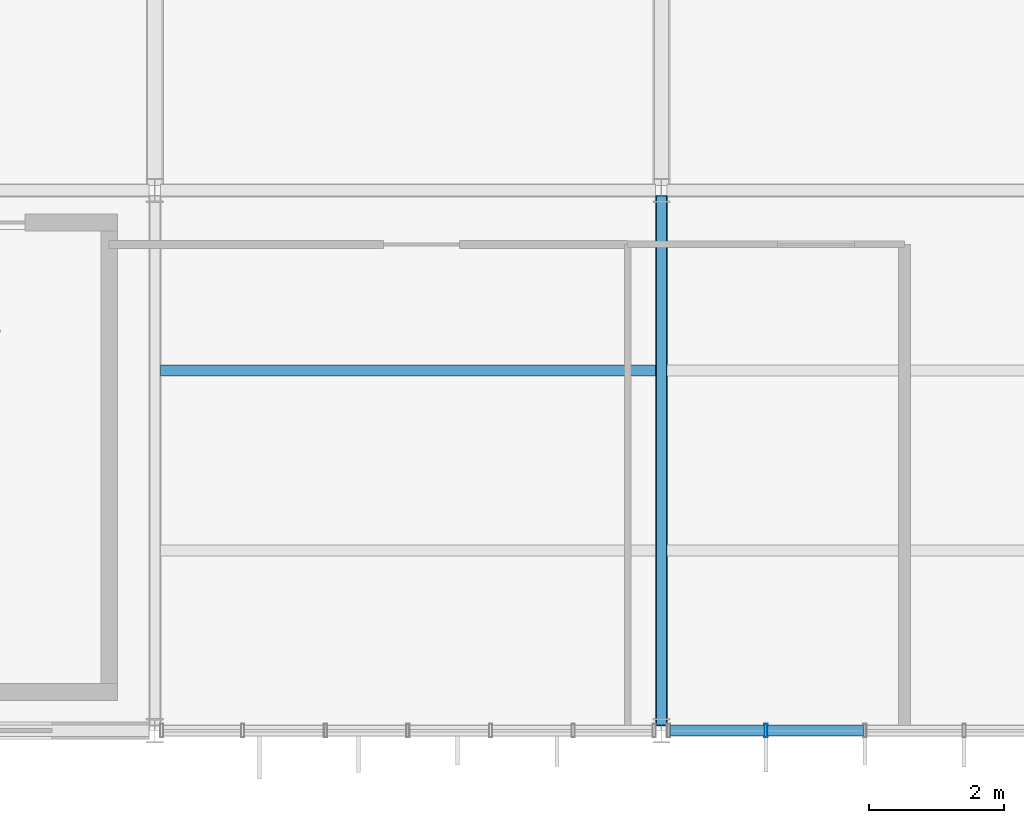
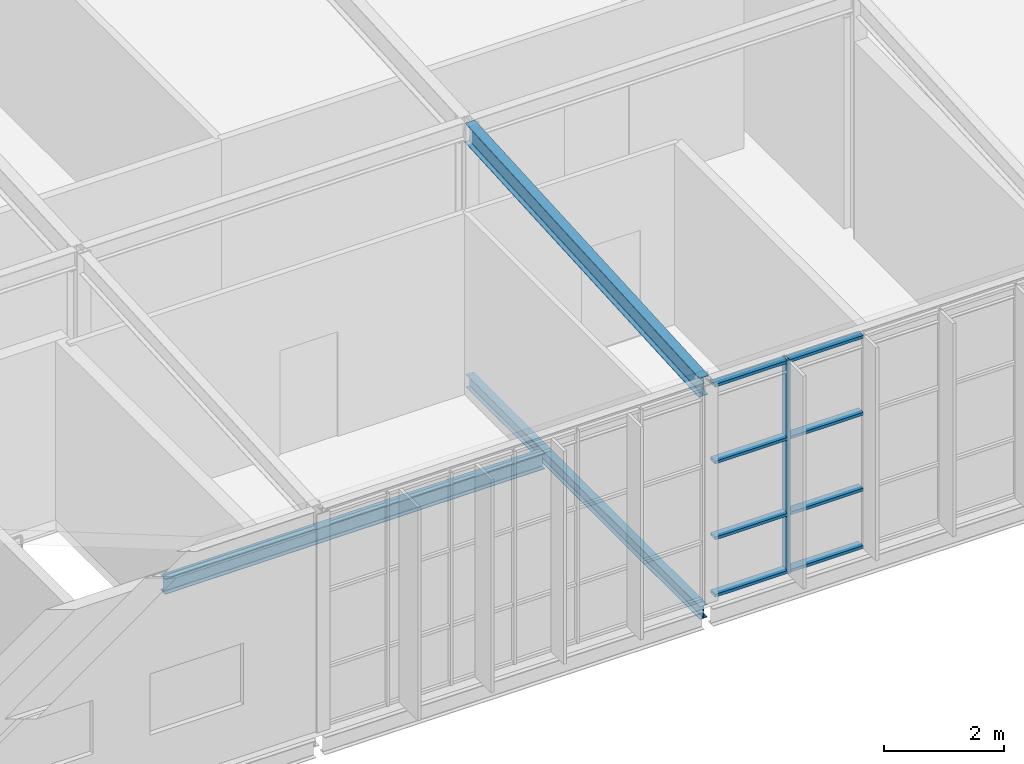
# One storey, part 23 of 104: 9 members, 3 beams, 1 element without a shape of its own.
"""IFC4 building model written with IfcOpenShell, lengths in metres."""

import ifcopenshell
import ifcopenshell.guid

model = None  # the IFC model being written
_history = None  # IfcOwnerHistory: only IFC2X3 demands one
_inside = {}  # id of a spatial element -> (the spatial element, [elements in it])
_under = {}  # id of a project, library or spatial element -> (it, [spatial elements below it])
_declared = {}  # id of a project -> (the project, [libraries it declares])
_typed = {}  # id of a type object -> (the type object, [elements of that type])
_made_of = {}  # id of a material, layer set ... -> (it, [elements and type objects made of it])


def new_model(schema):
    """Start an empty IFC model of exactly this schema.

    Asked for "IFC4X3", IfcOpenShell would pick the latest addendum, in which some entities
    have other attributes; the version numbers below select the first issue.
    IFC2X3 requires an IfcOwnerHistory on every rooted entity: one is made here for all.
    """
    global model, _history
    if schema == "IFC4X3":
        model = ifcopenshell.file(schema_version=(4, 3, 0, 0))
    else:
        model = ifcopenshell.file(schema=schema)
    _inside.clear()
    _under.clear()
    _declared.clear()
    _typed.clear()
    _made_of.clear()
    _history = None
    if model.schema == "IFC2X3":
        org = make("IfcOrganization", Name="unknown")
        user = make(
            "IfcPersonAndOrganization",
            ThePerson=make("IfcPerson", FamilyName="unknown"),
            TheOrganization=org,
        )
        app = make(
            "IfcApplication",
            ApplicationDeveloper=org,
            Version="unknown",
            ApplicationFullName="unknown",
            ApplicationIdentifier="unknown",
        )
        _history = make(
            "IfcOwnerHistory",
            OwningUser=user,
            OwningApplication=app,
            ChangeAction="ADDED",
            CreationDate=0,
        )
    return model


def make(cls, **values):
    """One entity of the class cls with the attributes given. An attribute that is None is left unset."""
    return model.create_entity(
        cls, **{name: value for name, value in values.items() if value is not None}
    )


def rooted(cls, **values):
    """An entity with a GlobalId (a new one), such as an element, a storey or a relation."""
    return make(cls, GlobalId=ifcopenshell.guid.new(), OwnerHistory=_history, **values)


def si_unit(unit_type, name, prefix=None):
    """IfcSIUnit, for example si_unit("LENGTHUNIT", "METRE", prefix="MILLI")."""
    return make("IfcSIUnit", UnitType=unit_type, Prefix=prefix, Name=name)


def assignment(units):
    """IfcUnitAssignment: the units of a project."""
    return None if units is None else make("IfcUnitAssignment", Units=units)


def point(xyz):
    """IfcCartesianPoint."""
    return None if xyz is None else make("IfcCartesianPoint", Coordinates=xyz)


def direction(xyz):
    """IfcDirection."""
    return None if xyz is None else make("IfcDirection", DirectionRatios=xyz)


def frame(location, z_axis=None, x_axis=None):
    """IfcAxis2Placement3D, a coordinate frame: its origin and axes. An axis left out is left unset."""
    return make(
        "IfcAxis2Placement3D",
        Location=point(location),
        Axis=direction(z_axis),
        RefDirection=direction(x_axis),
    )


def frame_2d(location, x_axis=None):
    """IfcAxis2Placement2D, a coordinate frame in the plane: its origin and x axis."""
    return make(
        "IfcAxis2Placement2D", Location=point(location), RefDirection=direction(x_axis)
    )


def origin():
    """The frame at (0, 0, 0) with its axes left unset."""
    return frame((0.0, 0.0, 0.0))


def origin_2d():
    """The frame at (0, 0) in the plane with its x axis left unset."""
    return frame_2d((0.0, 0.0))


def place(relative_to, where):
    """IfcLocalPlacement: puts the frame where relative to a parent placement (None: the world)."""
    return make(
        "IfcLocalPlacement", PlacementRelTo=relative_to, RelativePlacement=where
    )


def context(
    kind, dimensions, precision=None, world=None, true_north=None, identifier=None
):
    """IfcGeometricRepresentationContext, for example the 3D "Model" context."""
    return make(
        "IfcGeometricRepresentationContext",
        ContextIdentifier=identifier,
        ContextType=kind,
        CoordinateSpaceDimension=dimensions,
        Precision=precision,
        WorldCoordinateSystem=world,
        TrueNorth=true_north,
    )


def subcontext(parent, identifier, kind, view, scale=None):
    """IfcGeometricRepresentationSubContext, for example "Body" below "Model"."""
    return make(
        "IfcGeometricRepresentationSubContext",
        ContextIdentifier=identifier,
        ContextType=kind,
        ParentContext=parent,
        TargetScale=scale,
        TargetView=view,
    )


def project(units=None, contexts=None):
    """IfcProject with its units and contexts."""
    return rooted(
        "IfcProject",
        Name="project",
        RepresentationContexts=contexts,
        UnitsInContext=assignment(units),
    )


def spatial(cls, under=None, at=None, **own):
    """A site, building, storey or space (cls), placed at a placement, below another one or the project."""
    s = rooted(cls, ObjectPlacement=at, **own)
    if under is not None:
        _under.setdefault(under.id(), (under, []))[1].append(s)
    return s


def profile(cls, at=None, kind="AREA", **sizes):
    """A parametric profile (cls). Its sizes go by their IFC names, for example OverallWidth=200.0."""
    return make(cls, ProfileType=kind, Position=at, **sizes)


def hollow_rectangle(**sizes):
    """IfcRectangleHollowProfileDef."""
    return profile("IfcRectangleHollowProfileDef", **sizes)


def i_section(**sizes):
    """IfcIShapeProfileDef."""
    return profile("IfcIShapeProfileDef", **sizes)


def extrude(swept, where, along, depth):
    """IfcExtrudedAreaSolid: the profile swept, set in the frame where, extruded along a direction by depth."""
    return make(
        "IfcExtrudedAreaSolid",
        SweptArea=swept,
        Position=where,
        ExtrudedDirection=direction(along),
        Depth=depth,
    )


def shape(context_of_items, identifier, shape_type, items):
    """IfcShapeRepresentation: the items that make up one representation, for example the "Body"."""
    return make(
        "IfcShapeRepresentation",
        ContextOfItems=context_of_items,
        RepresentationIdentifier=identifier,
        RepresentationType=shape_type,
        Items=items,
    )


def material(Name=None, Category=None):
    """IfcMaterial."""
    return make("IfcMaterial", Name=Name, Category=Category)


def layer(
    of_material, thickness, ventilated=None, Name=None, Category=None, Priority=None
):
    """IfcMaterialLayer: one layer of a wall or slab, of a material (None: an air gap)."""
    return make(
        "IfcMaterialLayer",
        Material=of_material,
        LayerThickness=thickness,
        IsVentilated=ventilated,
        Name=Name,
        Category=Category,
        Priority=Priority,
    )


def layer_set(layers, Name=None):
    """IfcMaterialLayerSet."""
    return make("IfcMaterialLayerSet", MaterialLayers=layers, LayerSetName=Name)


def material_profile(
    of_material, cross_section, Name=None, Category=None, Priority=None
):
    """IfcMaterialProfile: a cross section and its material."""
    return make(
        "IfcMaterialProfile",
        Name=Name,
        Material=of_material,
        Profile=cross_section,
        Priority=Priority,
        Category=Category,
    )


def profile_set(profiles, Name=None, composite=None):
    """IfcMaterialProfileSet."""
    return make(
        "IfcMaterialProfileSet",
        Name=Name,
        MaterialProfiles=profiles,
        CompositeProfile=composite,
    )


def made_of(thing, what):
    """Note that an element or type object is made of a material, layer set ...; save() writes the relation."""
    if what is not None:
        _made_of.setdefault(what.id(), (what, []))[1].append(thing)
    return thing


def type_object(cls, material=None, **own):
    """A type object (cls), such as IfcWallType, which elements share."""
    return made_of(rooted(cls, **own), material)


def element(
    cls,
    number,
    at=None,
    inside=None,
    cuts=None,
    type_object=None,
    material=None,
    context=None,
    identifier="Body",
    shape_type=None,
    held_by="IfcProductDefinitionShape",
    body=None,
    shapes=None,
    **own,
):
    """One element of the class cls, such as IfcWall. Its Tag is "e" and its number.

    at: its placement. inside: the storey or other place that contains it. cuts: it is an
    opening in that element (IfcRelVoidsElement). A single representation is given by context,
    identifier, shape_type and body (its items); several are given by shapes. held_by: the class
    of the entity that holds the representations. save() writes the other relations.
    """
    e = rooted(cls, Tag="e%d" % number, ObjectPlacement=at, **own)
    if body is not None:
        shapes = [shape(context, identifier, shape_type, body)]
    if shapes is not None:
        e.Representation = make(held_by, Representations=shapes)
    if inside is not None:
        _inside.setdefault(inside.id(), (inside, []))[1].append(e)
    if cuts is not None:
        rooted(
            "IfcRelVoidsElement", RelatingBuildingElement=cuts, RelatedOpeningElement=e
        )
    if type_object is not None:
        _typed.setdefault(type_object.id(), (type_object, []))[1].append(e)
    return made_of(e, material)


def aggregate(whole, parts):
    """IfcRelAggregates: a whole, such as a stair, and the parts it consists of."""
    return rooted("IfcRelAggregates", RelatingObject=whole, RelatedObjects=parts)


def save(model, path):
    """Write the relations noted so far, then the file.

    IfcRelAggregates (storeys below a building ...), IfcRelContainedInSpatialStructure (elements
    in a storey), IfcRelDefinesByType, IfcRelAssociatesMaterial and IfcRelDeclares: one each for
    every whole, place, type object, material and project.
    """
    for whole, parts in _under.values():
        aggregate(whole, parts)
    for where, things in _inside.values():
        rooted(
            "IfcRelContainedInSpatialStructure",
            RelatedElements=things,
            RelatingStructure=where,
        )
    for kind, things in _typed.values():
        rooted("IfcRelDefinesByType", RelatedObjects=things, RelatingType=kind)
    for what, things in _made_of.values():
        rooted("IfcRelAssociatesMaterial", RelatedObjects=things, RelatingMaterial=what)
    for by, libraries in _declared.values():
        rooted("IfcRelDeclares", RelatingContext=by, RelatedDefinitions=libraries)
    model.write(path)


model = new_model("IFC4")

# Units and contexts
model_context = context("Model", 3, precision=1e-05, world=origin(), true_north=direction((0.0, 1.0)))
body_context = subcontext(model_context, "Body", "Model", "MODEL_VIEW")
ifc_project = project(units=[si_unit("LENGTHUNIT", "METRE"), si_unit("AREAUNIT", "SQUARE_METRE"), si_unit("VOLUMEUNIT", "CUBIC_METRE"), si_unit("PLANEANGLEUNIT", "RADIAN"), si_unit("MASSUNIT", "GRAM", prefix="KILO")], contexts=[model_context])

# Site, building, storey
site_placement = place(None, origin())
site = spatial("IfcSite", under=ifc_project, at=site_placement, CompositionType="ELEMENT")
building_placement = place(site_placement, origin())
building = spatial("IfcBuilding", under=site, at=building_placement, Name="Solvenia Promenade Tram Depot", CompositionType="ELEMENT")
storey_placement = place(building_placement, frame((0.0, 0.0, 9.0)))
storey = spatial("IfcBuildingStorey", under=building, at=storey_placement, Name="L02", CompositionType="ELEMENT", Elevation=9.0)

# Beam
ifc_material_1 = material(Name="Structural steel ASTM A992 Gr. 50", Category="steel")
ifc_material_profile_1 = material_profile(ifc_material_1, i_section(OverallWidth=0.178955078125, OverallDepth=0.409912109375, WebThickness=0.0087890625, FlangeThickness=0.014404296875, FilletRadius=0.011962890625, at=origin_2d()), Name="W410x67", Category="steel")
ifc_profile_set_1 = profile_set([ifc_material_profile_1], Name="Structural steel ASTM A992 Gr. 50")
beam_type_1 = type_object("IfcBeamType", Name="Beam-W410x67", PredefinedType="BEAM", material=ifc_profile_set_1)
beam_1_placement = place(storey_placement, frame((45.0, 0.0849609375, 4.2548828125), z_axis=(0.0, 0.998227697106, 0.059510206937), x_axis=(-1.0, 0.0, 0.0)))
element("IfcBeam", 1, at=beam_1_placement, inside=storey, type_object=beam_type_1, Name="Folded Wing Roof Rafter BM-L02-0854", PredefinedType="BEAM", context=body_context, shape_type="SweptSolid", body=[
    extrude(i_section(OverallWidth=0.178955078125, OverallDepth=0.409912109375, WebThickness=0.0087890625, FlangeThickness=0.014404296875, FilletRadius=0.011962890625, at=origin_2d()), origin(), (0.0, 0.0, 1.0), 7.843994140625),
])

# Curtain wall, members
ifc_material_2 = material(Name="Anodized aluminium AW-6063 T6", Category="aluminium")
ifc_layer = layer(ifc_material_2, 0.179931640625, Name="Anodized aluminium AW-6063 T6", Category="aluminium")
ifc_layer_set = layer_set([ifc_layer], Name="Anodized aluminium AW-6063 T6")
curtain_wall_type = type_object("IfcCurtainWallType", Name="CW-Solar-1500", PredefinedType="NOTDEFINED", material=ifc_layer_set)
curtain_wall_placement = place(storey_placement, origin())
curtain_wall = element("IfcCurtainWall", 2, at=curtain_wall_placement, inside=storey, type_object=curtain_wall_type, Name="Curtain Wall CW-V4S-L02-06", PredefinedType="NOTDEFINED")
ifc_material_profile_2 = material_profile(ifc_material_2, hollow_rectangle(XDim=0.199951171875, YDim=0.048095703125, WallThickness=0.00390625, at=origin_2d()), Name="ALU-M3", Category="aluminium")
ifc_profile_set_2 = profile_set([ifc_material_profile_2], Name="Anodized aluminium AW-6063 T6")
member_type_1 = type_object("IfcMemberType", Name="CWM-Mullion-3", PredefinedType="MULLION", material=ifc_profile_set_2)
member_1_placement = place(storey_placement, frame((46.548095703125, 0.0, 0.0), z_axis=(0.0, 0.0, 1.0), x_axis=(0.0, 1.0, 0.0)))
member_1 = element("IfcMember", 3, at=member_1_placement, type_object=member_type_1, Name="CW-7 mullion 2", PredefinedType="MULLION", context=body_context, shape_type="SweptSolid", body=[
    extrude(hollow_rectangle(XDim=0.199951171875, YDim=0.048095703125, WallThickness=0.00390625, at=origin_2d()), origin(), (0.0, 0.0, 1.0), 4.35009765625),
])
ifc_material_profile_3 = material_profile(ifc_material_2, hollow_rectangle(XDim=0.159912109375, YDim=0.05810546875, WallThickness=0.00390625, at=origin_2d()), Name="ALU-T3", Category="aluminium")
ifc_profile_set_3 = profile_set([ifc_material_profile_3], Name="Anodized aluminium AW-6063 T6")
member_type_2 = type_object("IfcMemberType", Name="CWT-Transom-3", PredefinedType="USERDEFINED", material=ifc_profile_set_3)
member_2_placement = place(storey_placement, frame((45.1279296875, 0.0, 0.029052734375), z_axis=(1.0, 0.0, 0.0), x_axis=(0.0, 1.0, 0.0)))
member_2 = element("IfcMember", 4, at=member_2_placement, type_object=member_type_2, Name="CW-7 transom 1.1", ObjectType="TRANSOM", PredefinedType="USERDEFINED", context=body_context, shape_type="SweptSolid", body=[
    extrude(hollow_rectangle(XDim=0.159912109375, YDim=0.05810546875, WallThickness=0.00390625, at=origin_2d()), origin(), (0.0, 0.0, 1.0), 1.39599609375),
])
member_3_placement = place(storey_placement, frame((45.1279296875, 0.0, 1.199951171875), z_axis=(1.0, 0.0, 0.0), x_axis=(0.0, 1.0, 0.0)))
member_3 = element("IfcMember", 5, at=member_3_placement, type_object=member_type_2, Name="CW-7 transom 1.2", ObjectType="TRANSOM", PredefinedType="USERDEFINED", context=body_context, shape_type="SweptSolid", body=[
    extrude(hollow_rectangle(XDim=0.159912109375, YDim=0.05810546875, WallThickness=0.00390625, at=origin_2d()), origin(), (0.0, 0.0, 1.0), 1.39599609375),
])
member_4_placement = place(storey_placement, frame((45.1279296875, 0.0, 2.75), z_axis=(1.0, 0.0, 0.0), x_axis=(0.0, 1.0, 0.0)))
member_4 = element("IfcMember", 6, at=member_4_placement, type_object=member_type_2, Name="CW-7 transom 1.3", ObjectType="TRANSOM", PredefinedType="USERDEFINED", context=body_context, shape_type="SweptSolid", body=[
    extrude(hollow_rectangle(XDim=0.159912109375, YDim=0.05810546875, WallThickness=0.00390625, at=origin_2d()), origin(), (0.0, 0.0, 1.0), 1.39599609375),
])
member_5_placement = place(storey_placement, frame((45.1279296875, 0.0, 4.321044921875), z_axis=(1.0, 0.0, 0.0), x_axis=(0.0, 1.0, 0.0)))
member_5 = element("IfcMember", 7, at=member_5_placement, type_object=member_type_2, Name="CW-7 transom 1.4", ObjectType="TRANSOM", PredefinedType="USERDEFINED", context=body_context, shape_type="SweptSolid", body=[
    extrude(hollow_rectangle(XDim=0.159912109375, YDim=0.05810546875, WallThickness=0.00390625, at=origin_2d()), origin(), (0.0, 0.0, 1.0), 1.39599609375),
])
member_6_placement = place(storey_placement, frame((46.572021484375, 0.0, 0.029052734375), z_axis=(1.0, 0.0, 0.0), x_axis=(0.0, 1.0, 0.0)))
member_6 = element("IfcMember", 8, at=member_6_placement, type_object=member_type_2, Name="CW-7 transom 2.1", ObjectType="TRANSOM", PredefinedType="USERDEFINED", context=body_context, shape_type="SweptSolid", body=[
    extrude(hollow_rectangle(XDim=0.159912109375, YDim=0.05810546875, WallThickness=0.00390625, at=origin_2d()), origin(), (0.0, 0.0, 1.0), 1.419921875),
])
member_7_placement = place(storey_placement, frame((46.572021484375, 0.0, 1.199951171875), z_axis=(1.0, 0.0, 0.0), x_axis=(0.0, 1.0, 0.0)))
member_7 = element("IfcMember", 9, at=member_7_placement, type_object=member_type_2, Name="CW-7 transom 2.2", ObjectType="TRANSOM", PredefinedType="USERDEFINED", context=body_context, shape_type="SweptSolid", body=[
    extrude(hollow_rectangle(XDim=0.159912109375, YDim=0.05810546875, WallThickness=0.00390625, at=origin_2d()), origin(), (0.0, 0.0, 1.0), 1.419921875),
])
member_8_placement = place(storey_placement, frame((46.572021484375, 0.0, 2.75), z_axis=(1.0, 0.0, 0.0), x_axis=(0.0, 1.0, 0.0)))
member_8 = element("IfcMember", 10, at=member_8_placement, type_object=member_type_2, Name="CW-7 transom 2.3", ObjectType="TRANSOM", PredefinedType="USERDEFINED", context=body_context, shape_type="SweptSolid", body=[
    extrude(hollow_rectangle(XDim=0.159912109375, YDim=0.05810546875, WallThickness=0.00390625, at=origin_2d()), origin(), (0.0, 0.0, 1.0), 1.419921875),
])
member_9_placement = place(storey_placement, frame((46.572021484375, 0.0, 4.321044921875), z_axis=(1.0, 0.0, 0.0), x_axis=(0.0, 1.0, 0.0)))
member_9 = element("IfcMember", 11, at=member_9_placement, type_object=member_type_2, Name="CW-7 transom 2.4", ObjectType="TRANSOM", PredefinedType="USERDEFINED", context=body_context, shape_type="SweptSolid", body=[
    extrude(hollow_rectangle(XDim=0.159912109375, YDim=0.05810546875, WallThickness=0.00390625, at=origin_2d()), origin(), (0.0, 0.0, 1.0), 1.419921875),
])
aggregate(curtain_wall, [member_1, member_2, member_3, member_4, member_5, member_6, member_7, member_8, member_9])

# Beams
ifc_material_profile_4 = material_profile(ifc_material_1, i_section(OverallWidth=0.14697265625, OverallDepth=0.261962890625, WebThickness=0.006591796875, FlangeThickness=0.01123046875, FilletRadius=0.010009765625, at=origin_2d()), Name="W250x39", Category="steel")
ifc_profile_set_4 = profile_set([ifc_material_profile_4], Name="Structural steel ASTM A992 Gr. 50")
beam_type_2 = type_object("IfcBeamType", Name="Joist-W250x39", PredefinedType="JOIST", material=ifc_profile_set_4)
beam_2_placement = place(storey_placement, frame((45.0, 0.0849609375, -0.35107421875), z_axis=(0.0, 1.0, 0.0), x_axis=(-1.0, 0.0, 0.0)))
element("IfcBeam", 12, at=beam_2_placement, inside=storey, type_object=beam_type_2, Name="Transverse Girder BM-L02-0554", PredefinedType="JOIST", context=body_context, shape_type="SweptSolid", body=[
    extrude(i_section(OverallWidth=0.14697265625, OverallDepth=0.261962890625, WebThickness=0.006591796875, FlangeThickness=0.01123046875, FilletRadius=0.010009765625, at=origin_2d()), origin(), (0.0, 0.0, 1.0), 7.830078125),
])
ifc_material_profile_5 = material_profile(ifc_material_1, i_section(OverallWidth=0.166015625, OverallDepth=0.31298828125, WebThickness=0.006591796875, FlangeThickness=0.01123046875, FilletRadius=0.010009765625, at=origin_2d()), Name="W310x45", Category="steel")
ifc_profile_set_5 = profile_set([ifc_material_profile_5], Name="Structural steel ASTM A992 Gr. 50")
beam_type_3 = type_object("IfcBeamType", Name="Joist-W310x45", PredefinedType="JOIST", material=ifc_profile_set_5)
beam_3_placement = place(storey_placement, frame((37.5849609375, 5.333251953125, -0.37646484375), z_axis=(1.0, 0.0, 0.0), x_axis=(0.0, 1.0, 0.0)))
element("IfcBeam", 13, at=beam_3_placement, inside=storey, type_object=beam_type_3, Name="Secondary Floor Joist BM-L02-0584", PredefinedType="JOIST", context=body_context, shape_type="SweptSolid", body=[
    extrude(i_section(OverallWidth=0.166015625, OverallDepth=0.31298828125, WebThickness=0.006591796875, FlangeThickness=0.01123046875, FilletRadius=0.010009765625, at=origin_2d()), origin(), (0.0, 0.0, 1.0), 7.330078125),
])

save(model, "model.ifc")
